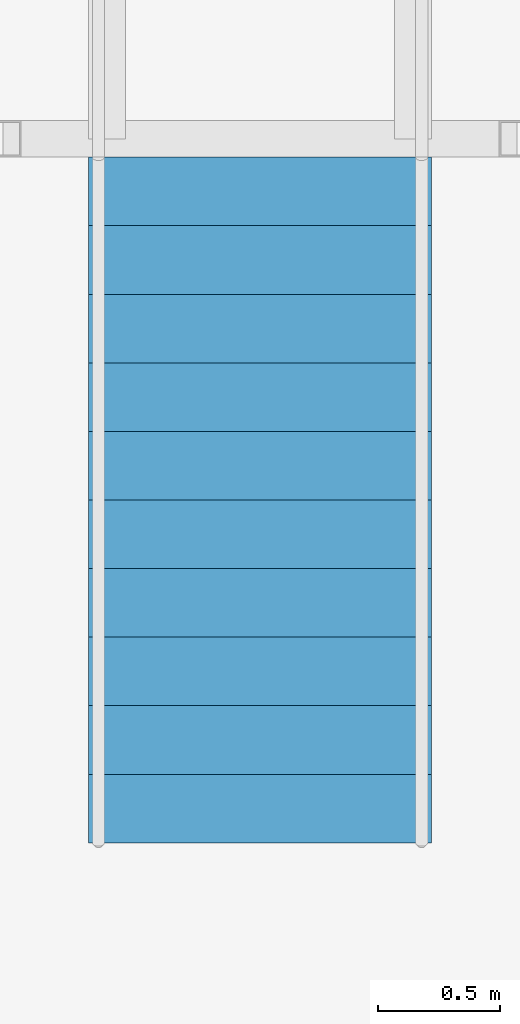
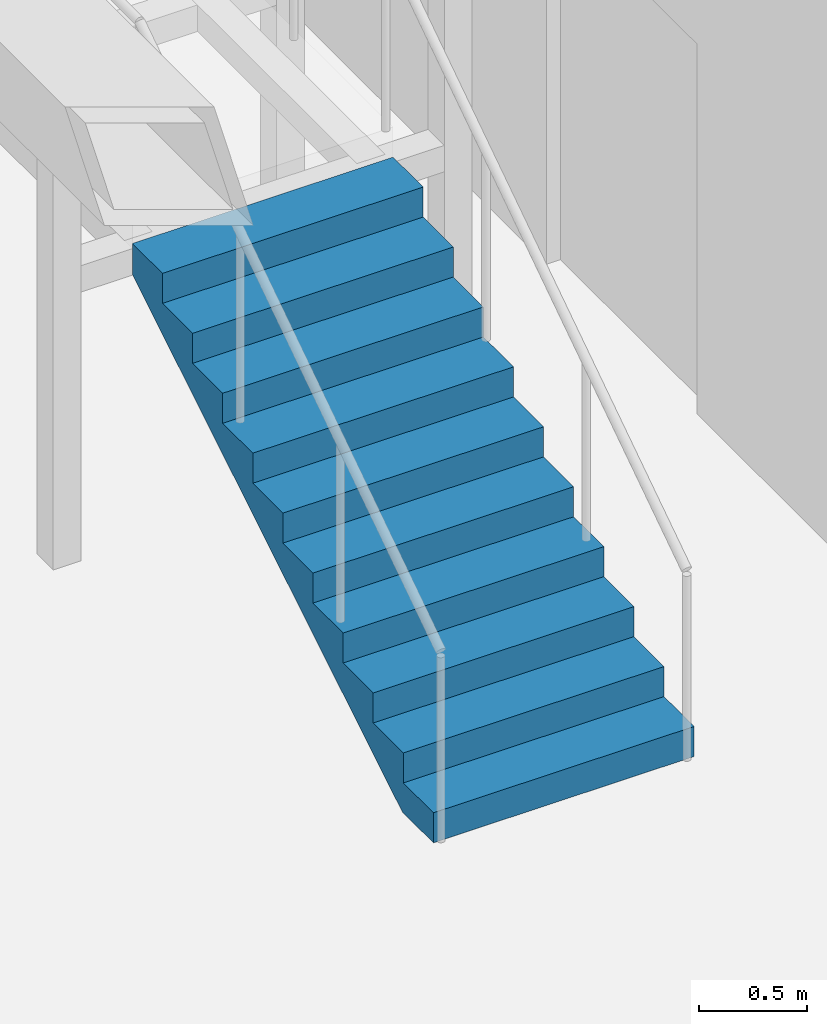
# One storey, part 24 of 26: 1 stair flight, 1 element without a shape of its own.
"""IFC4 building model written with IfcOpenShell, lengths in metres."""

from ifc_helpers import new_model, si_unit, direction, frame, origin, place, context, subcontext, project, spatial, triangles, material, type_object, element, aggregate, save


model = new_model("IFC4")

# Units and contexts
model_context = context("Model", 3, precision=1e-05, world=origin(), true_north=direction((0.0, 1.0)))
body_context = subcontext(model_context, "Body", "Model", "MODEL_VIEW")
ifc_project = project(units=[si_unit("LENGTHUNIT", "METRE"), si_unit("AREAUNIT", "SQUARE_METRE"), si_unit("VOLUMEUNIT", "CUBIC_METRE"), si_unit("PLANEANGLEUNIT", "RADIAN"), si_unit("MASSUNIT", "GRAM", prefix="KILO")], contexts=[model_context])

# Site, building, storey
site_placement = place(None, origin())
site = spatial("IfcSite", under=ifc_project, at=site_placement, CompositionType="ELEMENT")
building_placement = place(site_placement, origin())
building = spatial("IfcBuilding", under=site, at=building_placement, Name="Orbita Commons", CompositionType="ELEMENT")
storey_placement = place(building_placement, frame((0.0, 0.0, 231.550048828125)))
storey = spatial("IfcBuildingStorey", under=building, at=storey_placement, Name="L57", CompositionType="ELEMENT", Elevation=231.550048828125)

# Stair, stair flight
ifc_material_1 = material(Name="Steel ASTM A992 stringers, precast concrete C40/50 terrazzo treads", Category="concrete")
stair_type = type_object("IfcStairType", Name="Feature stair 22 risers 170 x 280 x 1400", PredefinedType="STRAIGHT_RUN_STAIR", material=ifc_material_1)
stair_placement = place(storey_placement, origin())
stair = element("IfcStair", 1, at=stair_placement, inside=storey, type_object=stair_type, Name="Neighbourhood stair L57 to L58", PredefinedType="STRAIGHT_RUN_STAIR")
ifc_material_2 = material(Name="Steel ASTM A992 stringers, precast concrete C40/50 terrazzo treads", Category="concrete")
stair_flight_type = type_object("IfcStairFlightType", Name="Feature stair flight 11 risers 170 x 1400", PredefinedType="STRAIGHT", material=ifc_material_2)
stair_flight_placement = place(storey_placement, frame((13.39990234375, 43.35009765625, 0.0), z_axis=(0.0, 0.0, 1.0), x_axis=(0.0, 1.0, 0.0)))
stair_flight = element("IfcStairFlight", 2, at=stair_flight_placement, type_object=stair_flight_type, Name="FS flight 1", NumberOfRisers=11, NumberOfTreads=10, PredefinedType="STRAIGHT", RiserHeight=0.170454545, TreadLength=0.28, context=body_context, shape_type="Tessellation", body=[
    triangles([(0.0, 0.699951, 0.0), (0.0, 0.699951, 0.021307), (0.0, 0.583293, 0.021307), (0.0, 0.583293, 0.0), (0.0, 0.466634, 0.021307), (0.0, 0.466634, 0.0), (0.0, 0.349976, 0.021307), (0.0, 0.349976, 0.0), (0.0, 0.233317, 0.021307), (0.0, 0.233317, 0.0), (0.0, 0.116659, 0.021307), (0.0, 0.116659, 0.0), (0.0, 0.0, 0.021307), (0.0, 0.0, 0.0), (0.0, -0.116659, 0.021307), (0.0, -0.116659, 0.0), (0.0, -0.233317, 0.021307), (0.0, -0.233317, 0.0), (0.0, -0.349976, 0.021307), (0.0, -0.349976, 0.0), (0.0, -0.466634, 0.021307), (0.0, -0.466634, 0.0), (0.0, -0.583293, 0.021307), (0.0, -0.583293, 0.0), (0.0, -0.699951, 0.021307), (0.0, -0.699951, 0.0), (0.0, 0.699951, 0.042614), (0.0, 0.583293, 0.042614), (0.0, 0.466634, 0.042614), (0.0, 0.349976, 0.042614), (0.0, 0.233317, 0.042614), (0.0, 0.116659, 0.042614), (0.0, 0.0, 0.042614), (0.0, -0.116659, 0.042614), (0.0, -0.233317, 0.042614), (0.0, -0.349976, 0.042614), (0.0, -0.466634, 0.042614), (0.0, -0.583293, 0.042614), (0.0, -0.699951, 0.042614), (0.0, 0.699951, 0.06392), (0.0, 0.583293, 0.06392), (0.0, 0.466634, 0.06392), (0.0, 0.349976, 0.06392), (0.0, 0.233317, 0.06392), (0.0, 0.116659, 0.06392), (0.0, 0.0, 0.06392), (0.0, -0.116659, 0.06392), (0.0, -0.233317, 0.06392), (0.0, -0.349976, 0.06392), (0.0, -0.466634, 0.06392), (0.0, -0.583293, 0.06392), (0.0, -0.699951, 0.06392), (0.0, 0.699951, 0.085227), (0.0, 0.583293, 0.085227), (0.0, 0.466634, 0.085227), (0.0, 0.349976, 0.085227), (0.0, 0.233317, 0.085227), (0.0, 0.116659, 0.085227), (0.0, 0.0, 0.085227), (0.0, -0.116659, 0.085227), (0.0, -0.233317, 0.085227), (0.0, -0.349976, 0.085227), (0.0, -0.466634, 0.085227), (0.0, -0.583293, 0.085227), (0.0, -0.699951, 0.085227), (0.0, 0.699951, 0.106534), (0.0, 0.583293, 0.106534), (0.0, 0.466634, 0.106534), (0.0, 0.349976, 0.106534), (0.0, 0.233317, 0.106534), (0.0, 0.116659, 0.106534), (0.0, 0.0, 0.106534), (0.0, -0.116659, 0.106534), (0.0, -0.233317, 0.106534), (0.0, -0.349976, 0.106534), (0.0, -0.466634, 0.106534), (0.0, -0.583293, 0.106534), (0.0, -0.699951, 0.106534), (0.0, 0.699951, 0.127841), (0.0, 0.583293, 0.127841), (0.0, 0.466634, 0.127841), (0.0, 0.349976, 0.127841), (0.0, 0.233317, 0.127841), (0.0, 0.116659, 0.127841), (0.0, 0.0, 0.127841), (0.0, -0.116659, 0.127841), (0.0, -0.233317, 0.127841), (0.0, -0.349976, 0.127841), (0.0, -0.466634, 0.127841), (0.0, -0.583293, 0.127841), (0.0, -0.699951, 0.127841), (0.0, 0.699951, 0.149148), (0.0, 0.583293, 0.149148), (0.0, 0.466634, 0.149148), (0.0, 0.349976, 0.149148), (0.0, 0.233317, 0.149148), (0.0, 0.116659, 0.149148), (0.0, 0.0, 0.149148), (0.0, -0.116659, 0.149148), (0.0, -0.233317, 0.149148), (0.0, -0.349976, 0.149148), (0.0, -0.466634, 0.149148), (0.0, -0.583293, 0.149148), (0.0, -0.699951, 0.149148), (0.0, 0.699951, 0.170455), (0.0, 0.583293, 0.170455), (0.0, 0.466634, 0.170455), (0.0, 0.349976, 0.170455), (0.0, 0.233317, 0.170455), (0.0, 0.116659, 0.170455), (0.0, 0.0, 0.170455), (0.0, -0.116659, 0.170455), (0.0, -0.233317, 0.170455), (0.0, -0.349976, 0.170455), (0.0, -0.466634, 0.170455), (0.0, -0.583293, 0.170455), (0.0, -0.699951, 0.170455), (0.28, 0.699951, 0.170455), (0.28, 0.583293, 0.170455), (0.28, 0.466634, 0.170455), (0.28, 0.349976, 0.170455), (0.28, 0.233317, 0.170455), (0.28, 0.116659, 0.170455), (0.28, 0.0, 0.170455), (0.28, -0.116659, 0.170455), (0.28, -0.233317, 0.170455), (0.28, -0.349976, 0.170455), (0.28, -0.466634, 0.170455), (0.28, -0.583293, 0.170455), (0.28, -0.699951, 0.170455), (0.28, 0.699951, 0.340909), (0.28, 0.583293, 0.340909), (0.28, 0.466634, 0.340909), (0.28, 0.349976, 0.340909), (0.28, 0.233317, 0.340909), (0.28, 0.116659, 0.340909), (0.28, 0.0, 0.340909), (0.28, -0.116659, 0.340909), (0.28, -0.233317, 0.340909), (0.28, -0.349976, 0.340909), (0.28, -0.466634, 0.340909), (0.28, -0.583293, 0.340909), (0.28, -0.699951, 0.340909), (0.56, 0.699951, 0.340909), (0.56, 0.583293, 0.340909), (0.56, 0.466634, 0.340909), (0.56, 0.349976, 0.340909), (0.56, 0.233317, 0.340909), (0.56, 0.116659, 0.340909), (0.56, 0.0, 0.340909), (0.56, -0.116659, 0.340909), (0.56, -0.233317, 0.340909), (0.56, -0.349976, 0.340909), (0.56, -0.466634, 0.340909), (0.56, -0.583293, 0.340909), (0.56, -0.699951, 0.340909), (0.56, 0.699951, 0.511364), (0.56, 0.583293, 0.511364), (0.56, 0.466634, 0.511364), (0.56, 0.349976, 0.511364), (0.56, 0.233317, 0.511364), (0.56, 0.116659, 0.511364), (0.56, 0.0, 0.511364), (0.56, -0.116659, 0.511364), (0.56, -0.233317, 0.511364), (0.56, -0.349976, 0.511364), (0.56, -0.466634, 0.511364), (0.56, -0.583293, 0.511364), (0.56, -0.699951, 0.511364), (0.84, 0.699951, 0.511364), (0.84, 0.583293, 0.511364), (0.84, 0.466634, 0.511364), (0.84, 0.349976, 0.511364), (0.84, 0.233317, 0.511364), (0.84, 0.116659, 0.511364), (0.84, 0.0, 0.511364), (0.84, -0.116659, 0.511364), (0.84, -0.233317, 0.511364), (0.84, -0.349976, 0.511364), (0.84, -0.466634, 0.511364), (0.84, -0.583293, 0.511364), (0.84, -0.699951, 0.511364), (0.84, 0.699951, 0.681818), (0.84, 0.583293, 0.681818), (0.84, 0.466634, 0.681818), (0.84, 0.349976, 0.681818), (0.84, 0.233317, 0.681818), (0.84, 0.116659, 0.681818), (0.84, 0.0, 0.681818), (0.84, -0.116659, 0.681818), (0.84, -0.233317, 0.681818), (0.84, -0.349976, 0.681818), (0.84, -0.466634, 0.681818), (0.84, -0.583293, 0.681818), (0.84, -0.699951, 0.681818), (1.12, 0.699951, 0.681818), (1.12, 0.583293, 0.681818), (1.12, 0.466634, 0.681818), (1.12, 0.349976, 0.681818), (1.12, 0.233317, 0.681818), (1.12, 0.116659, 0.681818), (1.12, 0.0, 0.681818), (1.12, -0.116659, 0.681818), (1.12, -0.233317, 0.681818), (1.12, -0.349976, 0.681818), (1.12, -0.466634, 0.681818), (1.12, -0.583293, 0.681818), (1.12, -0.699951, 0.681818), (1.12, 0.699951, 0.852273), (1.12, 0.583293, 0.852273), (1.12, 0.466634, 0.852273), (1.12, 0.349976, 0.852273), (1.12, 0.233317, 0.852273), (1.12, 0.116659, 0.852273), (1.12, 0.0, 0.852273), (1.12, -0.116659, 0.852273), (1.12, -0.233317, 0.852273), (1.12, -0.349976, 0.852273), (1.12, -0.466634, 0.852273), (1.12, -0.583293, 0.852273), (1.12, -0.699951, 0.852273), (1.4, 0.699951, 0.852273), (1.4, 0.583293, 0.852273), (1.4, 0.466634, 0.852273), (1.4, 0.349976, 0.852273), (1.4, 0.233317, 0.852273), (1.4, 0.116659, 0.852273), (1.4, 0.0, 0.852273), (1.4, -0.116659, 0.852273), (1.4, -0.233317, 0.852273), (1.4, -0.349976, 0.852273), (1.4, -0.466634, 0.852273), (1.4, -0.583293, 0.852273), (1.4, -0.699951, 0.852273), (1.4, 0.699951, 1.022727), (1.4, 0.583293, 1.022727), (1.4, 0.466634, 1.022727), (1.4, 0.349976, 1.022727), (1.4, 0.233317, 1.022727), (1.4, 0.116659, 1.022727), (1.4, 0.0, 1.022727), (1.4, -0.116659, 1.022727), (1.4, -0.233317, 1.022727), (1.4, -0.349976, 1.022727), (1.4, -0.466634, 1.022727), (1.4, -0.583293, 1.022727), (1.4, -0.699951, 1.022727), (1.68, 0.699951, 1.022727), (1.68, 0.583293, 1.022727), (1.68, 0.466634, 1.022727), (1.68, 0.349976, 1.022727), (1.68, 0.233317, 1.022727), (1.68, 0.116659, 1.022727), (1.68, 0.0, 1.022727), (1.68, -0.116659, 1.022727), (1.68, -0.233317, 1.022727), (1.68, -0.349976, 1.022727), (1.68, -0.466634, 1.022727), (1.68, -0.583293, 1.022727), (1.68, -0.699951, 1.022727), (1.68, 0.699951, 1.193182), (1.68, 0.583293, 1.193182), (1.68, 0.466634, 1.193182), (1.68, 0.349976, 1.193182), (1.68, 0.233317, 1.193182), (1.68, 0.116659, 1.193182), (1.68, 0.0, 1.193182), (1.68, -0.116659, 1.193182), (1.68, -0.233317, 1.193182), (1.68, -0.349976, 1.193182), (1.68, -0.466634, 1.193182), (1.68, -0.583293, 1.193182), (1.68, -0.699951, 1.193182), (1.96, 0.699951, 1.193182), (1.96, 0.583293, 1.193182), (1.96, 0.466634, 1.193182), (1.96, 0.349976, 1.193182), (1.96, 0.233317, 1.193182), (1.96, 0.116659, 1.193182), (1.96, 0.0, 1.193182), (1.96, -0.116659, 1.193182), (1.96, -0.233317, 1.193182), (1.96, -0.349976, 1.193182), (1.96, -0.466634, 1.193182), (1.96, -0.583293, 1.193182), (1.96, -0.699951, 1.193182), (1.96, 0.699951, 1.363636), (1.96, 0.583293, 1.363636), (1.96, 0.466634, 1.363636), (1.96, 0.349976, 1.363636), (1.96, 0.233317, 1.363636), (1.96, 0.116659, 1.363636), (1.96, 0.0, 1.363636), (1.96, -0.116659, 1.363636), (1.96, -0.233317, 1.363636), (1.96, -0.349976, 1.363636), (1.96, -0.466634, 1.363636), (1.96, -0.583293, 1.363636), (1.96, -0.699951, 1.363636), (2.24, 0.699951, 1.363636), (2.24, 0.583293, 1.363636), (2.24, 0.466634, 1.363636), (2.24, 0.349976, 1.363636), (2.24, 0.233317, 1.363636), (2.24, 0.116659, 1.363636), (2.24, 0.0, 1.363636), (2.24, -0.116659, 1.363636), (2.24, -0.233317, 1.363636), (2.24, -0.349976, 1.363636), (2.24, -0.466634, 1.363636), (2.24, -0.583293, 1.363636), (2.24, -0.699951, 1.363636), (2.24, 0.699951, 1.534091), (2.24, 0.583293, 1.534091), (2.24, 0.466634, 1.534091), (2.24, 0.349976, 1.534091), (2.24, 0.233317, 1.534091), (2.24, 0.116659, 1.534091), (2.24, 0.0, 1.534091), (2.24, -0.116659, 1.534091), (2.24, -0.233317, 1.534091), (2.24, -0.349976, 1.534091), (2.24, -0.466634, 1.534091), (2.24, -0.583293, 1.534091), (2.24, -0.699951, 1.534091), (2.52, 0.699951, 1.534091), (2.52, 0.583293, 1.534091), (2.52, 0.466634, 1.534091), (2.52, 0.349976, 1.534091), (2.52, 0.233317, 1.534091), (2.52, 0.116659, 1.534091), (2.52, 0.0, 1.534091), (2.52, -0.116659, 1.534091), (2.52, -0.233317, 1.534091), (2.52, -0.349976, 1.534091), (2.52, -0.466634, 1.534091), (2.52, -0.583293, 1.534091), (2.52, -0.699951, 1.534091), (2.52, 0.699951, 1.704545), (2.52, 0.583293, 1.704545), (2.52, 0.466634, 1.704545), (2.52, 0.349976, 1.704545), (2.52, 0.233317, 1.704545), (2.52, 0.116659, 1.704545), (2.52, 0.0, 1.704545), (2.52, -0.116659, 1.704545), (2.52, -0.233317, 1.704545), (2.52, -0.349976, 1.704545), (2.52, -0.466634, 1.704545), (2.52, -0.583293, 1.704545), (2.52, -0.699951, 1.704545), (2.8, 0.699951, 1.704545), (2.8, 0.583293, 1.704545), (2.8, 0.466634, 1.704545), (2.8, 0.349976, 1.704545), (2.8, 0.233317, 1.704545), (2.8, 0.116659, 1.704545), (2.8, 0.0, 1.704545), (2.8, -0.116659, 1.704545), (2.8, -0.233317, 1.704545), (2.8, -0.349976, 1.704545), (2.8, -0.466634, 1.704545), (2.8, -0.583293, 1.704545), (2.8, -0.699951, 1.704545), (2.8, 0.699951, 1.682609), (2.8, 0.583293, 1.682609), (2.8, 0.466634, 1.682609), (2.8, 0.349976, 1.682609), (2.8, 0.233317, 1.682609), (2.8, 0.116659, 1.682609), (2.8, 0.0, 1.682609), (2.8, -0.116659, 1.682609), (2.8, -0.233317, 1.682609), (2.8, -0.349976, 1.682609), (2.8, -0.466634, 1.682609), (2.8, -0.583293, 1.682609), (2.8, -0.699951, 1.682609), (2.8, 0.699951, 1.660672), (2.8, 0.583293, 1.660672), (2.8, 0.466634, 1.660672), (2.8, 0.349976, 1.660672), (2.8, 0.233317, 1.660672), (2.8, 0.116659, 1.660672), (2.8, 0.0, 1.660672), (2.8, -0.116659, 1.660672), (2.8, -0.233317, 1.660672), (2.8, -0.349976, 1.660672), (2.8, -0.466634, 1.660672), (2.8, -0.583293, 1.660672), (2.8, -0.699951, 1.660672), (2.8, 0.699951, 1.638735), (2.8, 0.583293, 1.638735), (2.8, 0.466634, 1.638735), (2.8, 0.349976, 1.638735), (2.8, 0.233317, 1.638735), (2.8, 0.116659, 1.638735), (2.8, 0.0, 1.638735), (2.8, -0.116659, 1.638735), (2.8, -0.233317, 1.638735), (2.8, -0.349976, 1.638735), (2.8, -0.466634, 1.638735), (2.8, -0.583293, 1.638735), (2.8, -0.699951, 1.638735), (2.8, 0.699951, 1.616798), (2.8, 0.583293, 1.616798), (2.8, 0.466634, 1.616798), (2.8, 0.349976, 1.616798), (2.8, 0.233317, 1.616798), (2.8, 0.116659, 1.616798), (2.8, 0.0, 1.616798), (2.8, -0.116659, 1.616798), (2.8, -0.233317, 1.616798), (2.8, -0.349976, 1.616798), (2.8, -0.466634, 1.616798), (2.8, -0.583293, 1.616798), (2.8, -0.699951, 1.616798), (2.8, 0.699951, 1.594861), (2.8, 0.583293, 1.594861), (2.8, 0.466634, 1.594861), (2.8, 0.349976, 1.594861), (2.8, 0.233317, 1.594861), (2.8, 0.116659, 1.594861), (2.8, 0.0, 1.594861), (2.8, -0.116659, 1.594861), (2.8, -0.233317, 1.594861), (2.8, -0.349976, 1.594861), (2.8, -0.466634, 1.594861), (2.8, -0.583293, 1.594861), (2.8, -0.699951, 1.594861), (2.8, 0.699951, 1.572925), (2.8, 0.583293, 1.572925), (2.8, 0.466634, 1.572925), (2.8, 0.349976, 1.572925), (2.8, 0.233317, 1.572925), (2.8, 0.116659, 1.572925), (2.8, 0.0, 1.572925), (2.8, -0.116659, 1.572925), (2.8, -0.233317, 1.572925), (2.8, -0.349976, 1.572925), (2.8, -0.466634, 1.572925), (2.8, -0.583293, 1.572925), (2.8, -0.699951, 1.572925), (2.8, 0.699951, 1.550988), (2.8, 0.583293, 1.550988), (2.8, 0.466634, 1.550988), (2.8, 0.349976, 1.550988), (2.8, 0.233317, 1.550988), (2.8, 0.116659, 1.550988), (2.8, 0.0, 1.550988), (2.8, -0.116659, 1.550988), (2.8, -0.233317, 1.550988), (2.8, -0.349976, 1.550988), (2.8, -0.466634, 1.550988), (2.8, -0.583293, 1.550988), (2.8, -0.699951, 1.550988), (2.8, 0.699951, 1.529051), (2.8, 0.583293, 1.529051), (2.8, 0.466634, 1.529051), (2.8, 0.349976, 1.529051), (2.8, 0.233317, 1.529051), (2.8, 0.116659, 1.529051), (2.8, 0.0, 1.529051), (2.8, -0.116659, 1.529051), (2.8, -0.233317, 1.529051), (2.8, -0.349976, 1.529051), (2.8, -0.466634, 1.529051), (2.8, -0.583293, 1.529051), (2.8, -0.699951, 1.529051), (0.288279, 0.699951, 0.0), (0.288279, 0.583293, 0.0), (0.288279, 0.466634, 0.0), (0.288279, 0.349976, 0.0), (0.288279, 0.233317, 0.0), (0.288279, 0.116659, 0.0), (0.288279, 0.0, 0.0), (0.288279, -0.116659, 0.0), (0.288279, -0.233317, 0.0), (0.288279, -0.349976, 0.0), (0.288279, -0.466634, 0.0), (0.288279, -0.583293, 0.0), (0.288279, -0.699951, 0.0)], [[3, 2, 1], [4, 3, 1], [5, 3, 4], [6, 5, 4], [7, 5, 6], [8, 7, 6], [9, 7, 8], [10, 9, 8], [11, 9, 10], [12, 11, 10], [13, 11, 12], [14, 13, 12], [15, 13, 14], [16, 15, 14], [17, 15, 16], [18, 17, 16], [19, 17, 18], [20, 19, 18], [21, 19, 20], [22, 21, 20], [23, 21, 22], [24, 23, 22], [25, 23, 24], [26, 25, 24], [28, 27, 2], [3, 28, 2], [29, 28, 3], [5, 29, 3], [30, 29, 5], [7, 30, 5], [31, 30, 7], [9, 31, 7], [32, 31, 9], [11, 32, 9], [33, 32, 11], [13, 33, 11], [34, 33, 13], [15, 34, 13], [35, 34, 15], [17, 35, 15], [36, 35, 17], [19, 36, 17], [37, 36, 19], [21, 37, 19], [38, 37, 21], [23, 38, 21], [39, 38, 23], [25, 39, 23], [41, 40, 27], [28, 41, 27], [42, 41, 28], [29, 42, 28], [43, 42, 29], [30, 43, 29], [44, 43, 30], [31, 44, 30], [45, 44, 31], [32, 45, 31], [46, 45, 32], [33, 46, 32], [47, 46, 33], [34, 47, 33], [48, 47, 34], [35, 48, 34], [49, 48, 35], [36, 49, 35], [50, 49, 36], [37, 50, 36], [51, 50, 37], [38, 51, 37], [52, 51, 38], [39, 52, 38], [54, 53, 40], [41, 54, 40], [55, 54, 41], [42, 55, 41], [56, 55, 42], [43, 56, 42], [57, 56, 43], [44, 57, 43], [58, 57, 44], [45, 58, 44], [59, 58, 45], [46, 59, 45], [60, 59, 46], [47, 60, 46], [61, 60, 47], [48, 61, 47], [62, 61, 48], [49, 62, 48], [63, 62, 49], [50, 63, 49], [64, 63, 50], [51, 64, 50], [65, 64, 51], [52, 65, 51], [67, 66, 53], [54, 67, 53], [68, 67, 54], [55, 68, 54], [69, 68, 55], [56, 69, 55], [70, 69, 56], [57, 70, 56], [71, 70, 57], [58, 71, 57], [72, 71, 58], [59, 72, 58], [73, 72, 59], [60, 73, 59], [74, 73, 60], [61, 74, 60], [75, 74, 61], [62, 75, 61], [76, 75, 62], [63, 76, 62], [77, 76, 63], [64, 77, 63], [78, 77, 64], [65, 78, 64], [80, 79, 66], [67, 80, 66], [81, 80, 67], [68, 81, 67], [82, 81, 68], [69, 82, 68], [83, 82, 69], [70, 83, 69], [84, 83, 70], [71, 84, 70], [85, 84, 71], [72, 85, 71], [86, 85, 72], [73, 86, 72], [87, 86, 73], [74, 87, 73], [88, 87, 74], [75, 88, 74], [89, 88, 75], [76, 89, 75], [90, 89, 76], [77, 90, 76], [91, 90, 77], [78, 91, 77], [93, 92, 79], [80, 93, 79], [94, 93, 80], [81, 94, 80], [95, 94, 81], [82, 95, 81], [96, 95, 82], [83, 96, 82], [97, 96, 83], [84, 97, 83], [98, 97, 84], [85, 98, 84], [99, 98, 85], [86, 99, 85], [100, 99, 86], [87, 100, 86], [101, 100, 87], [88, 101, 87], [102, 101, 88], [89, 102, 88], [103, 102, 89], [90, 103, 89], [104, 103, 90], [91, 104, 90], [106, 105, 92], [93, 106, 92], [107, 106, 93], [94, 107, 93], [108, 107, 94], [95, 108, 94], [109, 108, 95], [96, 109, 95], [110, 109, 96], [97, 110, 96], [111, 110, 97], [98, 111, 97], [112, 111, 98], [99, 112, 98], [113, 112, 99], [100, 113, 99], [114, 113, 100], [101, 114, 100], [115, 114, 101], [102, 115, 101], [116, 115, 102], [103, 116, 102], [117, 116, 103], [104, 117, 103], [119, 118, 105], [106, 119, 105], [120, 119, 106], [107, 120, 106], [121, 120, 107], [108, 121, 107], [122, 121, 108], [109, 122, 108], [123, 122, 109], [110, 123, 109], [124, 123, 110], [111, 124, 110], [125, 124, 111], [112, 125, 111], [126, 125, 112], [113, 126, 112], [127, 126, 113], [114, 127, 113], [128, 127, 114], [115, 128, 114], [129, 128, 115], [116, 129, 115], [130, 129, 116], [117, 130, 116], [132, 131, 118], [119, 132, 118], [133, 132, 119], [120, 133, 119], [134, 133, 120], [121, 134, 120], [135, 134, 121], [122, 135, 121], [136, 135, 122], [123, 136, 122], [137, 136, 123], [124, 137, 123], [138, 137, 124], [125, 138, 124], [139, 138, 125], [126, 139, 125], [140, 139, 126], [127, 140, 126], [141, 140, 127], [128, 141, 127], [142, 141, 128], [129, 142, 128], [143, 142, 129], [130, 143, 129], [145, 144, 131], [132, 145, 131], [146, 145, 132], [133, 146, 132], [147, 146, 133], [134, 147, 133], [148, 147, 134], [135, 148, 134], [149, 148, 135], [136, 149, 135], [150, 149, 136], [137, 150, 136], [151, 150, 137], [138, 151, 137], [152, 151, 138], [139, 152, 138], [153, 152, 139], [140, 153, 139], [154, 153, 140], [141, 154, 140], [155, 154, 141], [142, 155, 141], [156, 155, 142], [143, 156, 142], [158, 157, 144], [145, 158, 144], [159, 158, 145], [146, 159, 145], [160, 159, 146], [147, 160, 146], [161, 160, 147], [148, 161, 147], [162, 161, 148], [149, 162, 148], [163, 162, 149], [150, 163, 149], [164, 163, 150], [151, 164, 150], [165, 164, 151], [152, 165, 151], [166, 165, 152], [153, 166, 152], [167, 166, 153], [154, 167, 153], [168, 167, 154], [155, 168, 154], [169, 168, 155], [156, 169, 155], [171, 170, 157], [158, 171, 157], [172, 171, 158], [159, 172, 158], [173, 172, 159], [160, 173, 159], [174, 173, 160], [161, 174, 160], [175, 174, 161], [162, 175, 161], [176, 175, 162], [163, 176, 162], [177, 176, 163], [164, 177, 163], [178, 177, 164], [165, 178, 164], [179, 178, 165], [166, 179, 165], [180, 179, 166], [167, 180, 166], [181, 180, 167], [168, 181, 167], [182, 181, 168], [169, 182, 168], [184, 183, 170], [171, 184, 170], [185, 184, 171], [172, 185, 171], [186, 185, 172], [173, 186, 172], [187, 186, 173], [174, 187, 173], [188, 187, 174], [175, 188, 174], [189, 188, 175], [176, 189, 175], [190, 189, 176], [177, 190, 176], [191, 190, 177], [178, 191, 177], [192, 191, 178], [179, 192, 178], [193, 192, 179], [180, 193, 179], [194, 193, 180], [181, 194, 180], [195, 194, 181], [182, 195, 181], [197, 196, 183], [184, 197, 183], [198, 197, 184], [185, 198, 184], [199, 198, 185], [186, 199, 185], [200, 199, 186], [187, 200, 186], [201, 200, 187], [188, 201, 187], [202, 201, 188], [189, 202, 188], [203, 202, 189], [190, 203, 189], [204, 203, 190], [191, 204, 190], [205, 204, 191], [192, 205, 191], [206, 205, 192], [193, 206, 192], [207, 206, 193], [194, 207, 193], [208, 207, 194], [195, 208, 194], [210, 209, 196], [197, 210, 196], [211, 210, 197], [198, 211, 197], [212, 211, 198], [199, 212, 198], [213, 212, 199], [200, 213, 199], [214, 213, 200], [201, 214, 200], [215, 214, 201], [202, 215, 201], [216, 215, 202], [203, 216, 202], [217, 216, 203], [204, 217, 203], [218, 217, 204], [205, 218, 204], [219, 218, 205], [206, 219, 205], [220, 219, 206], [207, 220, 206], [221, 220, 207], [208, 221, 207], [223, 222, 209], [210, 223, 209], [224, 223, 210], [211, 224, 210], [225, 224, 211], [212, 225, 211], [226, 225, 212], [213, 226, 212], [227, 226, 213], [214, 227, 213], [228, 227, 214], [215, 228, 214], [229, 228, 215], [216, 229, 215], [230, 229, 216], [217, 230, 216], [231, 230, 217], [218, 231, 217], [232, 231, 218], [219, 232, 218], [233, 232, 219], [220, 233, 219], [234, 233, 220], [221, 234, 220], [236, 235, 222], [223, 236, 222], [237, 236, 223], [224, 237, 223], [238, 237, 224], [225, 238, 224], [239, 238, 225], [226, 239, 225], [240, 239, 226], [227, 240, 226], [241, 240, 227], [228, 241, 227], [242, 241, 228], [229, 242, 228], [243, 242, 229], [230, 243, 229], [244, 243, 230], [231, 244, 230], [245, 244, 231], [232, 245, 231], [246, 245, 232], [233, 246, 232], [247, 246, 233], [234, 247, 233], [249, 248, 235], [236, 249, 235], [250, 249, 236], [237, 250, 236], [251, 250, 237], [238, 251, 237], [252, 251, 238], [239, 252, 238], [253, 252, 239], [240, 253, 239], [254, 253, 240], [241, 254, 240], [255, 254, 241], [242, 255, 241], [256, 255, 242], [243, 256, 242], [257, 256, 243], [244, 257, 243], [258, 257, 244], [245, 258, 244], [259, 258, 245], [246, 259, 245], [260, 259, 246], [247, 260, 246], [262, 261, 248], [249, 262, 248], [263, 262, 249], [250, 263, 249], [264, 263, 250], [251, 264, 250], [265, 264, 251], [252, 265, 251], [266, 265, 252], [253, 266, 252], [267, 266, 253], [254, 267, 253], [268, 267, 254], [255, 268, 254], [269, 268, 255], [256, 269, 255], [270, 269, 256], [257, 270, 256], [271, 270, 257], [258, 271, 257], [272, 271, 258], [259, 272, 258], [273, 272, 259], [260, 273, 259], [275, 274, 261], [262, 275, 261], [276, 275, 262], [263, 276, 262], [277, 276, 263], [264, 277, 263], [278, 277, 264], [265, 278, 264], [279, 278, 265], [266, 279, 265], [280, 279, 266], [267, 280, 266], [281, 280, 267], [268, 281, 267], [282, 281, 268], [269, 282, 268], [283, 282, 269], [270, 283, 269], [284, 283, 270], [271, 284, 270], [285, 284, 271], [272, 285, 271], [286, 285, 272], [273, 286, 272], [288, 287, 274], [275, 288, 274], [289, 288, 275], [276, 289, 275], [290, 289, 276], [277, 290, 276], [291, 290, 277], [278, 291, 277], [292, 291, 278], [279, 292, 278], [293, 292, 279], [280, 293, 279], [294, 293, 280], [281, 294, 280], [295, 294, 281], [282, 295, 281], [296, 295, 282], [283, 296, 282], [297, 296, 283], [284, 297, 283], [298, 297, 284], [285, 298, 284], [299, 298, 285], [286, 299, 285], [301, 300, 287], [288, 301, 287], [302, 301, 288], [289, 302, 288], [303, 302, 289], [290, 303, 289], [304, 303, 290], [291, 304, 290], [305, 304, 291], [292, 305, 291], [306, 305, 292], [293, 306, 292], [307, 306, 293], [294, 307, 293], [308, 307, 294], [295, 308, 294], [309, 308, 295], [296, 309, 295], [310, 309, 296], [297, 310, 296], [311, 310, 297], [298, 311, 297], [312, 311, 298], [299, 312, 298], [314, 313, 300], [301, 314, 300], [315, 314, 301], [302, 315, 301], [316, 315, 302], [303, 316, 302], [317, 316, 303], [304, 317, 303], [318, 317, 304], [305, 318, 304], [319, 318, 305], [306, 319, 305], [320, 319, 306], [307, 320, 306], [321, 320, 307], [308, 321, 307], [322, 321, 308], [309, 322, 308], [323, 322, 309], [310, 323, 309], [324, 323, 310], [311, 324, 310], [325, 324, 311], [312, 325, 311], [327, 326, 313], [314, 327, 313], [328, 327, 314], [315, 328, 314], [329, 328, 315], [316, 329, 315], [330, 329, 316], [317, 330, 316], [331, 330, 317], [318, 331, 317], [332, 331, 318], [319, 332, 318], [333, 332, 319], [320, 333, 319], [334, 333, 320], [321, 334, 320], [335, 334, 321], [322, 335, 321], [336, 335, 322], [323, 336, 322], [337, 336, 323], [324, 337, 323], [338, 337, 324], [325, 338, 324], [340, 339, 326], [327, 340, 326], [341, 340, 327], [328, 341, 327], [342, 341, 328], [329, 342, 328], [343, 342, 329], [330, 343, 329], [344, 343, 330], [331, 344, 330], [345, 344, 331], [332, 345, 331], [346, 345, 332], [333, 346, 332], [347, 346, 333], [334, 347, 333], [348, 347, 334], [335, 348, 334], [349, 348, 335], [336, 349, 335], [350, 349, 336], [337, 350, 336], [351, 350, 337], [338, 351, 337], [353, 352, 339], [340, 353, 339], [354, 353, 340], [341, 354, 340], [355, 354, 341], [342, 355, 341], [356, 355, 342], [343, 356, 342], [357, 356, 343], [344, 357, 343], [358, 357, 344], [345, 358, 344], [359, 358, 345], [346, 359, 345], [360, 359, 346], [347, 360, 346], [361, 360, 347], [348, 361, 347], [362, 361, 348], [349, 362, 348], [363, 362, 349], [350, 363, 349], [364, 363, 350], [351, 364, 350], [366, 365, 352], [353, 366, 352], [367, 366, 353], [354, 367, 353], [368, 367, 354], [355, 368, 354], [369, 368, 355], [356, 369, 355], [370, 369, 356], [357, 370, 356], [371, 370, 357], [358, 371, 357], [372, 371, 358], [359, 372, 358], [373, 372, 359], [360, 373, 359], [374, 373, 360], [361, 374, 360], [375, 374, 361], [362, 375, 361], [376, 375, 362], [363, 376, 362], [377, 376, 363], [364, 377, 363], [379, 378, 365], [366, 379, 365], [380, 379, 366], [367, 380, 366], [381, 380, 367], [368, 381, 367], [382, 381, 368], [369, 382, 368], [383, 382, 369], [370, 383, 369], [384, 383, 370], [371, 384, 370], [385, 384, 371], [372, 385, 371], [386, 385, 372], [373, 386, 372], [387, 386, 373], [374, 387, 373], [388, 387, 374], [375, 388, 374], [389, 388, 375], [376, 389, 375], [390, 389, 376], [377, 390, 376], [392, 391, 378], [379, 392, 378], [393, 392, 379], [380, 393, 379], [394, 393, 380], [381, 394, 380], [395, 394, 381], [382, 395, 381], [396, 395, 382], [383, 396, 382], [397, 396, 383], [384, 397, 383], [398, 397, 384], [385, 398, 384], [399, 398, 385], [386, 399, 385], [400, 399, 386], [387, 400, 386], [401, 400, 387], [388, 401, 387], [402, 401, 388], [389, 402, 388], [403, 402, 389], [390, 403, 389], [405, 404, 391], [392, 405, 391], [406, 405, 392], [393, 406, 392], [407, 406, 393], [394, 407, 393], [408, 407, 394], [395, 408, 394], [409, 408, 395], [396, 409, 395], [410, 409, 396], [397, 410, 396], [411, 410, 397], [398, 411, 397], [412, 411, 398], [399, 412, 398], [413, 412, 399], [400, 413, 399], [414, 413, 400], [401, 414, 400], [415, 414, 401], [402, 415, 401], [416, 415, 402], [403, 416, 402], [418, 417, 404], [405, 418, 404], [419, 418, 405], [406, 419, 405], [420, 419, 406], [407, 420, 406], [421, 420, 407], [408, 421, 407], [422, 421, 408], [409, 422, 408], [423, 422, 409], [410, 423, 409], [424, 423, 410], [411, 424, 410], [425, 424, 411], [412, 425, 411], [426, 425, 412], [413, 426, 412], [427, 426, 413], [414, 427, 413], [428, 427, 414], [415, 428, 414], [429, 428, 415], [416, 429, 415], [431, 430, 417], [418, 431, 417], [432, 431, 418], [419, 432, 418], [433, 432, 419], [420, 433, 419], [434, 433, 420], [421, 434, 420], [435, 434, 421], [422, 435, 421], [436, 435, 422], [423, 436, 422], [437, 436, 423], [424, 437, 423], [438, 437, 424], [425, 438, 424], [439, 438, 425], [426, 439, 425], [440, 439, 426], [427, 440, 426], [441, 440, 427], [428, 441, 427], [442, 441, 428], [429, 442, 428], [444, 443, 430], [431, 444, 430], [445, 444, 431], [432, 445, 431], [446, 445, 432], [433, 446, 432], [447, 446, 433], [434, 447, 433], [448, 447, 434], [435, 448, 434], [449, 448, 435], [436, 449, 435], [450, 449, 436], [437, 450, 436], [451, 450, 437], [438, 451, 437], [452, 451, 438], [439, 452, 438], [453, 452, 439], [440, 453, 439], [454, 453, 440], [441, 454, 440], [455, 454, 441], [442, 455, 441], [457, 456, 443], [444, 457, 443], [458, 457, 444], [445, 458, 444], [459, 458, 445], [446, 459, 445], [460, 459, 446], [447, 460, 446], [461, 460, 447], [448, 461, 447], [462, 461, 448], [449, 462, 448], [463, 462, 449], [450, 463, 449], [464, 463, 450], [451, 464, 450], [465, 464, 451], [452, 465, 451], [466, 465, 452], [453, 466, 452], [467, 466, 453], [454, 467, 453], [468, 467, 454], [455, 468, 454], [470, 469, 456], [457, 470, 456], [471, 470, 457], [458, 471, 457], [472, 471, 458], [459, 472, 458], [473, 472, 459], [460, 473, 459], [474, 473, 460], [461, 474, 460], [475, 474, 461], [462, 475, 461], [476, 475, 462], [463, 476, 462], [477, 476, 463], [464, 477, 463], [478, 477, 464], [465, 478, 464], [479, 478, 465], [466, 479, 465], [480, 479, 466], [467, 480, 466], [481, 480, 467], [468, 481, 467], [4, 1, 469], [470, 4, 469], [6, 4, 470], [471, 6, 470], [8, 6, 471], [472, 8, 471], [10, 8, 472], [473, 10, 472], [12, 10, 473], [474, 12, 473], [14, 12, 474], [475, 14, 474], [16, 14, 475], [476, 16, 475], [18, 16, 476], [477, 18, 476], [20, 18, 477], [478, 20, 477], [22, 20, 478], [479, 22, 478], [24, 22, 479], [480, 24, 479], [26, 24, 480], [481, 26, 480], [456, 469, 1], [26, 481, 468], [443, 456, 1], [26, 468, 455], [430, 443, 1], [26, 455, 442], [417, 430, 1], [26, 442, 429], [404, 417, 1], [26, 429, 416], [391, 404, 1], [26, 416, 403], [378, 391, 1], [26, 403, 390], [365, 378, 1], [26, 390, 377], [339, 352, 365], [377, 364, 351], [326, 339, 365], [377, 351, 338], [300, 313, 326], [338, 325, 312], [300, 326, 365], [377, 338, 312], [274, 287, 300], [312, 299, 286], [274, 300, 365], [377, 312, 286], [248, 261, 274], [286, 273, 260], [248, 274, 365], [377, 286, 260], [222, 235, 248], [260, 247, 234], [222, 248, 365], [377, 260, 234], [196, 209, 222], [234, 221, 208], [196, 222, 365], [377, 234, 208], [170, 183, 196], [208, 195, 182], [170, 196, 365], [377, 208, 182], [144, 157, 170], [182, 169, 156], [144, 170, 365], [377, 182, 156], [118, 131, 144], [156, 143, 130], [118, 144, 365], [377, 156, 130], [118, 365, 1], [26, 377, 130], [92, 105, 118], [130, 117, 104], [79, 92, 118], [130, 104, 91], [66, 79, 118], [130, 91, 78], [53, 66, 118], [130, 78, 65], [40, 53, 118], [130, 65, 52], [27, 40, 118], [130, 52, 39], [2, 27, 118], [130, 39, 25], [1, 2, 118], [130, 25, 26]], closed=True),
])
aggregate(stair, [stair_flight])

save(model, "model.ifc")
